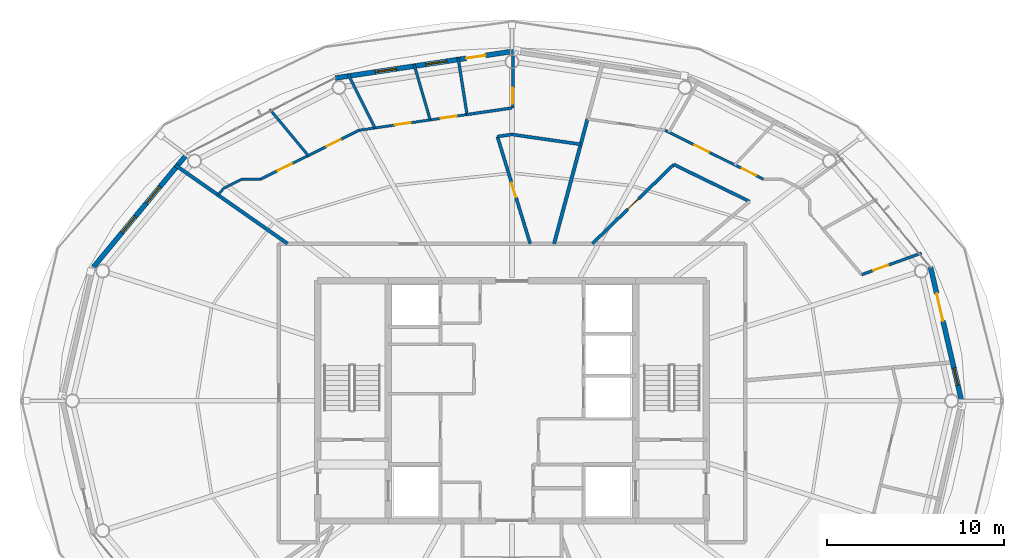
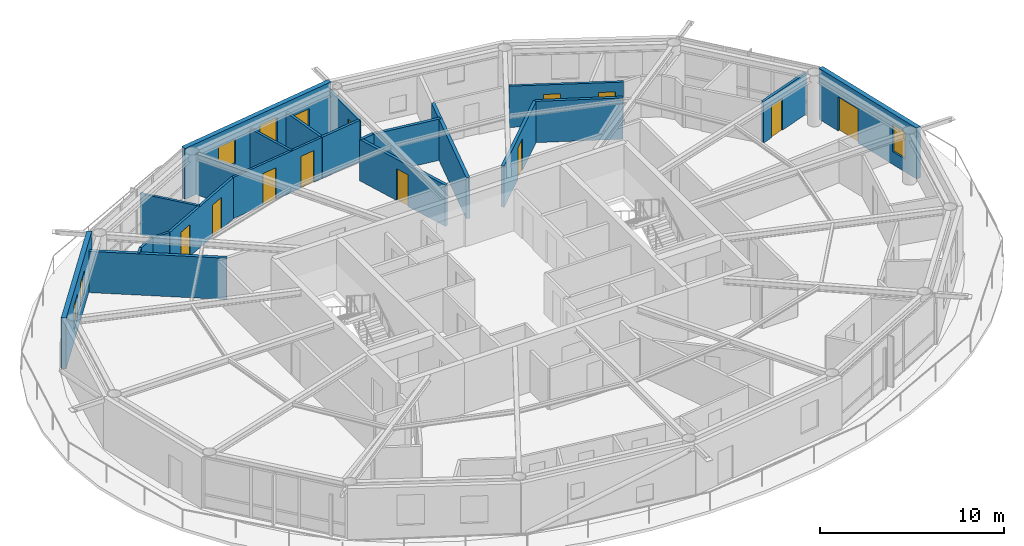
# One storey, part 19 of 23: 23 walls, 12 doors, 5 windows, 17 openings.
"""IFC4 building model written with IfcOpenShell, lengths in metres."""

from ifc_helpers import new_model, si_unit, direction, frame, frame_2d, origin, place, context, subcontext, project, spatial, rectangle, extrude, material, layer, layer_set, type_object, element, fill, save


model = new_model("IFC4")

# Units and contexts
model_context = context("Model", 3, precision=1e-05, world=origin(), true_north=direction((0.0, 1.0)))
body_context = subcontext(model_context, "Body", "Model", "MODEL_VIEW")
ifc_project = project(units=[si_unit("LENGTHUNIT", "METRE"), si_unit("AREAUNIT", "SQUARE_METRE"), si_unit("VOLUMEUNIT", "CUBIC_METRE"), si_unit("PLANEANGLEUNIT", "RADIAN"), si_unit("MASSUNIT", "GRAM", prefix="KILO")], contexts=[model_context])

# Site, building, storey
site_placement = place(None, origin())
site = spatial("IfcSite", under=ifc_project, at=site_placement, CompositionType="ELEMENT")
building_placement = place(site_placement, origin())
building = spatial("IfcBuilding", under=site, at=building_placement, Name="Sarneth Arch Tower", CompositionType="ELEMENT")
storey_placement = place(building_placement, frame((0.0, 0.0, 280.199951171875)))
storey = spatial("IfcBuildingStorey", under=building, at=storey_placement, Name="L72", CompositionType="ELEMENT", Elevation=280.199951171875)

# Wall, openings, door, window
ifc_material_1 = material(Name="Extruded terracotta rainscreen on Concrete C40/50 backing", Category="masonry")
ifc_layer_1 = layer(ifc_material_1, 0.280029296875)
ifc_layer_set_1 = layer_set([ifc_layer_1], Name="Extruded terracotta rainscreen on Concrete C40/50 backing")
wall_type_1 = type_object("IfcWallType", Name="WALL-EXT-TERRA-280", PredefinedType="SOLIDWALL", material=ifc_layer_set_1)
wall_1_placement = place(storey_placement, frame((73.447021484375, 42.0, 0.0), z_axis=(0.0, 0.0, 1.0), x_axis=(-0.225635078214, 0.974211892495, 0.0)))
wall_1 = element("IfcWall", 1, at=wall_1_placement, inside=storey, type_object=wall_type_1, Name="L72 Terracotta perimeter wall 01", PredefinedType="SOLIDWALL", context=body_context, shape_type="SweptSolid", body=[
    extrude(rectangle(XDim=7.77001953125, YDim=0.280029296875, at=frame_2d((3.885009765625, 0.0))), origin(), (0.0, 0.0, 1.0), 3.3701171875),
])
opening_1_placement = place(wall_1_placement, frame((4.64208984375, 0.0, 0.0)))
opening_1 = element("IfcOpeningElement", 2, at=opening_1_placement, cuts=wall_1, Name="Opening BD-1", PredefinedType="OPENING", context=body_context, shape_type="SweptSolid", body=[
    extrude(rectangle(XDim=1.60009765625, YDim=2.25, at=frame_2d((0.800048828125, 1.125))), frame((0.0, 0.14990234375, 0.0), z_axis=(0.0, -1.0, 0.0), x_axis=(1.0, 0.0, 0.0)), (0.0, 0.0, 1.0), 0.300048828125),
])
opening_2_placement = place(wall_1_placement, frame((0.9072265625, 0.0, 0.85009765625)))
opening_2 = element("IfcOpeningElement", 3, at=opening_2_placement, cuts=wall_1, Name="Opening W-11", PredefinedType="OPENING", context=body_context, shape_type="SweptSolid", body=[
    extrude(rectangle(XDim=1.0, YDim=1.800048828125, at=frame_2d((0.5, 0.89990234375))), frame((0.0, 0.14990234375, 0.0), z_axis=(0.0, -1.0, 0.0), x_axis=(1.0, 0.0, 0.0)), (0.0, 0.0, 1.0), 0.300048828125),
])
ifc_material_2 = material(Name="Thermally broken Aluminium 6063-T6 and laminated safety glass", Category="aluminium")
door_type_1 = type_object("IfcDoorType", Name="DR-BALC-GLZ-1600", OperationType="DOUBLE_DOOR_SINGLE_SWING", PredefinedType="DOOR", material=ifc_material_2)
door_1_placement = place(opening_1_placement, origin())
door_1 = element("IfcDoor", 4, at=door_1_placement, inside=storey, type_object=door_type_1, Name="L72 Balcony glazed door 01", OperationType="DOUBLE_DOOR_SINGLE_SWING", OverallHeight=2.25, OverallWidth=1.60009765625, PredefinedType="DOOR", context=body_context, shape_type="SweptSolid", body=[
    extrude(rectangle(XDim=1.60009765625, YDim=2.25, at=frame_2d((0.800048828125, 1.125))), frame((0.0, 0.02490234375, 0.0), z_axis=(0.0, -1.0, 0.0), x_axis=(1.0, 0.0, 0.0)), (0.0, 0.0, 1.0), 0.050048828125),
])
fill(opening_1, door_1)
ifc_material_3 = material(Name="Thermally broken Aluminium 6063-T6 and low-e laminated IGU", Category="aluminium")
window_type_1 = type_object("IfcWindowType", Name="WIN-TWR-1000x1800", PartitioningType="SINGLE_PANEL", PredefinedType="WINDOW", material=ifc_material_3)
window_1_placement = place(opening_2_placement, origin())
window_1 = element("IfcWindow", 5, at=window_1_placement, inside=storey, type_object=window_type_1, Name="L72 Dwelling bedroom window 05", OverallHeight=1.800048828125, OverallWidth=1.0, PartitioningType="SINGLE_PANEL", PredefinedType="WINDOW", context=body_context, shape_type="SweptSolid", body=[
    extrude(rectangle(XDim=1.0, YDim=1.800048828125, at=frame_2d((0.5, 0.89990234375))), frame((0.0, 0.030029296875, 0.0), z_axis=(0.0, -1.0, 0.0), x_axis=(1.0, 0.0, 0.0)), (0.0, 0.0, 1.0), 0.06005859375),
])
fill(opening_2, window_1)

# Wall, openings, door, windows
wall_2_placement = place(storey_placement, frame((48.0, 61.780029296875, 0.0), z_axis=(0.0, 0.0, 1.0), x_axis=(-0.988882522213, -0.148698881169, 0.0)))
wall_2 = element("IfcWall", 6, at=wall_2_placement, inside=storey, type_object=wall_type_1, Name="L72 Terracotta perimeter wall 05", PredefinedType="SOLIDWALL", context=body_context, shape_type="SweptSolid", body=[
    extrude(rectangle(XDim=10.125244140625, YDim=0.280029296875, at=frame_2d((5.0625, 0.0))), origin(), (0.0, 0.0, 1.0), 3.3701171875),
])
opening_3_placement = place(wall_2_placement, frame((1.51611328125, 0.0, 0.0)))
opening_3 = element("IfcOpeningElement", 7, at=opening_3_placement, cuts=wall_2, Name="Opening BD-3", PredefinedType="OPENING", context=body_context, shape_type="SweptSolid", body=[
    extrude(rectangle(XDim=1.10009765625, YDim=2.25, at=frame_2d((0.550048828125, 1.125))), frame((0.0, 0.14990234375, 0.0), z_axis=(0.0, -1.0, 0.0), x_axis=(1.0, 0.0, 0.0)), (0.0, 0.0, 1.0), 0.300048828125),
])
opening_4_placement = place(wall_2_placement, frame((3.732421875, 0.0, 0.85009765625)))
opening_4 = element("IfcOpeningElement", 8, at=opening_4_placement, cuts=wall_2, Name="Opening W-09", PredefinedType="OPENING", context=body_context, shape_type="SweptSolid", body=[
    extrude(rectangle(XDim=1.199951171875, YDim=1.800048828125, at=frame_2d((0.60009765625, 0.89990234375))), frame((0.0, 0.14990234375, 0.0), z_axis=(0.0, -1.0, 0.0), x_axis=(1.0, 0.0, 0.0)), (0.0, 0.0, 1.0), 0.300048828125),
])
opening_5_placement = place(wall_2_placement, frame((6.61572265625, 0.0, 0.85009765625)))
opening_5 = element("IfcOpeningElement", 9, at=opening_5_placement, cuts=wall_2, Name="Opening W-10", PredefinedType="OPENING", context=body_context, shape_type="SweptSolid", body=[
    extrude(rectangle(XDim=1.199951171875, YDim=1.60009765625, at=frame_2d((0.60009765625, 0.800048828125))), frame((0.0, 0.14990234375, 0.0), z_axis=(0.0, -1.0, 0.0), x_axis=(1.0, 0.0, 0.0)), (0.0, 0.0, 1.0), 0.300048828125),
])
ifc_material_4 = material(Name="Thermally broken Aluminium 6063-T6 and laminated safety glass", Category="aluminium")
door_type_2 = type_object("IfcDoorType", Name="DR-BALC-GLZ-1100", OperationType="SINGLE_SWING_LEFT", PredefinedType="DOOR", material=ifc_material_4)
door_2_placement = place(opening_3_placement, origin())
door_2 = element("IfcDoor", 10, at=door_2_placement, inside=storey, type_object=door_type_2, Name="L72 Balcony glazed door 05", OperationType="SINGLE_SWING_LEFT", OverallHeight=2.25, OverallWidth=1.10009765625, PredefinedType="DOOR", context=body_context, shape_type="SweptSolid", body=[
    extrude(rectangle(XDim=1.10009765625, YDim=2.25, at=frame_2d((0.550048828125, 1.125))), frame((0.0, 0.02490234375, 0.0), z_axis=(0.0, -1.0, 0.0), x_axis=(1.0, 0.0, 0.0)), (0.0, 0.0, 1.0), 0.050048828125),
])
fill(opening_3, door_2)
ifc_material_5 = material(Name="Thermally broken Aluminium 6063-T6 and low-e laminated IGU", Category="aluminium")
window_type_2 = type_object("IfcWindowType", Name="WIN-TWR-1200x1600", PartitioningType="SINGLE_PANEL", PredefinedType="WINDOW", material=ifc_material_5)
window_2_placement = place(opening_5_placement, origin())
window_2 = element("IfcWindow", 11, at=window_2_placement, inside=storey, type_object=window_type_2, Name="L72 Exterior window 05B", OverallHeight=1.60009765625, OverallWidth=1.199951171875, PartitioningType="SINGLE_PANEL", PredefinedType="WINDOW", context=body_context, shape_type="SweptSolid", body=[
    extrude(rectangle(XDim=1.199951171875, YDim=1.60009765625, at=frame_2d((0.60009765625, 0.800048828125))), frame((0.0, 0.030029296875, 0.0), z_axis=(0.0, -1.0, 0.0), x_axis=(1.0, 0.0, 0.0)), (0.0, 0.0, 1.0), 0.06005859375),
])
fill(opening_5, window_2)
ifc_material_6 = material(Name="Thermally broken Aluminium 6063-T6 and low-e laminated IGU", Category="aluminium")
window_type_3 = type_object("IfcWindowType", Name="WIN-TWR-1200x1800", PartitioningType="SINGLE_PANEL", PredefinedType="WINDOW", material=ifc_material_6)
window_3_placement = place(opening_4_placement, origin())
window_3 = element("IfcWindow", 12, at=window_3_placement, inside=storey, type_object=window_type_3, Name="L72 Exterior window 05A", OverallHeight=1.800048828125, OverallWidth=1.199951171875, PartitioningType="SINGLE_PANEL", PredefinedType="WINDOW", context=body_context, shape_type="SweptSolid", body=[
    extrude(rectangle(XDim=1.199951171875, YDim=1.800048828125, at=frame_2d((0.60009765625, 0.89990234375))), frame((0.0, 0.030029296875, 0.0), z_axis=(0.0, -1.0, 0.0), x_axis=(1.0, 0.0, 0.0)), (0.0, 0.0, 1.0), 0.06005859375),
])
fill(opening_4, window_3)

# Wall, openings, windows
wall_3_placement = place(storey_placement, frame((29.617431640625, 55.986572265625, 0.0), z_axis=(0.0, 0.0, 1.0), x_axis=(-0.63761509934, -0.770355103243, 0.0)))
wall_3 = element("IfcWall", 13, at=wall_3_placement, inside=storey, type_object=wall_type_1, Name="L72 Terracotta perimeter wall 07", PredefinedType="SOLIDWALL", context=body_context, shape_type="SweptSolid", body=[
    extrude(rectangle(XDim=8.329833984375, YDim=0.280029296875, at=frame_2d((4.1650390625, 0.0))), origin(), (0.0, 0.0, 1.0), 3.3701171875),
])
opening_6_placement = place(wall_3_placement, frame((2.42626953125, 0.0, 0.85009765625)))
opening_6 = element("IfcOpeningElement", 14, at=opening_6_placement, cuts=wall_3, Name="Opening W-10", PredefinedType="OPENING", context=body_context, shape_type="SweptSolid", body=[
    extrude(rectangle(XDim=1.199951171875, YDim=1.60009765625, at=frame_2d((0.60009765625, 0.800048828125))), frame((0.0, 0.14990234375, 0.0), z_axis=(0.0, -1.0, 0.0), x_axis=(1.0, 0.0, 0.0)), (0.0, 0.0, 1.0), 0.300048828125),
])
opening_7_placement = place(wall_3_placement, frame((4.59619140625, 0.0, 0.85009765625)))
opening_7 = element("IfcOpeningElement", 15, at=opening_7_placement, cuts=wall_3, Name="Opening W-10", PredefinedType="OPENING", context=body_context, shape_type="SweptSolid", body=[
    extrude(rectangle(XDim=1.199951171875, YDim=1.60009765625, at=frame_2d((0.60009765625, 0.800048828125))), frame((0.0, 0.14990234375, 0.0), z_axis=(0.0, -1.0, 0.0), x_axis=(1.0, 0.0, 0.0)), (0.0, 0.0, 1.0), 0.300048828125),
])
window_4_placement = place(opening_6_placement, origin())
window_4 = element("IfcWindow", 16, at=window_4_placement, inside=storey, type_object=window_type_2, Name="L72 Exterior window 07A", OverallHeight=1.60009765625, OverallWidth=1.199951171875, PartitioningType="SINGLE_PANEL", PredefinedType="WINDOW", context=body_context, shape_type="SweptSolid", body=[
    extrude(rectangle(XDim=1.199951171875, YDim=1.60009765625, at=frame_2d((0.60009765625, 0.800048828125))), frame((0.0, 0.030029296875, 0.0), z_axis=(0.0, -1.0, 0.0), x_axis=(1.0, 0.0, 0.0)), (0.0, 0.0, 1.0), 0.06005859375),
])
fill(opening_6, window_4)
window_5_placement = place(opening_7_placement, origin())
window_5 = element("IfcWindow", 17, at=window_5_placement, inside=storey, type_object=window_type_2, Name="L72 Exterior window 07B", OverallHeight=1.60009765625, OverallWidth=1.199951171875, PartitioningType="SINGLE_PANEL", PredefinedType="WINDOW", context=body_context, shape_type="SweptSolid", body=[
    extrude(rectangle(XDim=1.199951171875, YDim=1.60009765625, at=frame_2d((0.60009765625, 0.800048828125))), frame((0.0, 0.030029296875, 0.0), z_axis=(0.0, -1.0, 0.0), x_axis=(1.0, 0.0, 0.0)), (0.0, 0.0, 1.0), 0.06005859375),
])
fill(opening_7, window_5)

# Wall, openings, doors
ifc_material_7 = material(Name="Apartment internal stud partition", Category="gypsum")
ifc_layer_2 = layer(ifc_material_7, 0.139892578125)
ifc_layer_set_2 = layer_set([ifc_layer_2], Name="Apartment internal stud partition")
wall_type_2 = type_object("IfcWallType", Name="WALL-PART-140", PredefinedType="PARTITIONING", material=ifc_layer_set_2)
wall_4_placement = place(storey_placement, frame((45.486572265625, 58.21337890625, 0.0), z_axis=(0.0, 0.0, 1.0), x_axis=(-0.98953543847, -0.144290041276, 0.0)))
wall_4 = element("IfcWall", 18, at=wall_4_placement, inside=storey, type_object=wall_type_2, Name="L72 Interior partition W-L72-TP-048", PredefinedType="PARTITIONING", context=body_context, shape_type="SweptSolid", body=[
    extrude(rectangle(XDim=6.206298828125, YDim=0.139892578125, at=frame_2d((3.10302734375, 0.0))), origin(), (0.0, 0.0, 1.0), 2.72998046875),
])
opening_8_placement = place(wall_4_placement, frame((3.266845703125, 0.0, 0.0)))
opening_8 = element("IfcOpeningElement", 19, at=opening_8_placement, cuts=wall_4, Name="Opening ID-01", PredefinedType="OPENING", context=body_context, shape_type="SweptSolid", body=[
    extrude(rectangle(XDim=0.89990234375, YDim=2.10009765625, at=frame_2d((0.449951171875, 1.050048828125))), frame((0.0, 0.079833984375, 0.0), z_axis=(0.0, -1.0, 0.0), x_axis=(1.0, 0.0, 0.0)), (0.0, 0.0, 1.0), 0.159912109375),
])
opening_9_placement = place(wall_4_placement, frame((0.635986328125, 0.0, 0.0)))
opening_9 = element("IfcOpeningElement", 20, at=opening_9_placement, cuts=wall_4, Name="Opening ID-01", PredefinedType="OPENING", context=body_context, shape_type="SweptSolid", body=[
    extrude(rectangle(XDim=0.89990234375, YDim=2.10009765625, at=frame_2d((0.449951171875, 1.050048828125))), frame((0.0, 0.079833984375, 0.0), z_axis=(0.0, -1.0, 0.0), x_axis=(1.0, 0.0, 0.0)), (0.0, 0.0, 1.0), 0.159912109375),
])
ifc_material_8 = material(Name="Engineered hardwood flush door", Category="wood")
door_type_3 = type_object("IfcDoorType", Name="DR-INT-900", OperationType="SINGLE_SWING_LEFT", PredefinedType="DOOR", material=ifc_material_8)
door_3_placement = place(opening_8_placement, origin())
door_3 = element("IfcDoor", 21, at=door_3_placement, inside=storey, type_object=door_type_3, Name="L72 Interior door DR-L72-U2-BED1", OperationType="SINGLE_SWING_RIGHT", OverallHeight=2.10009765625, OverallWidth=0.89990234375, PredefinedType="DOOR", context=body_context, shape_type="SweptSolid", body=[
    extrude(rectangle(XDim=0.89990234375, YDim=2.10009765625, at=frame_2d((0.449951171875, 1.050048828125))), frame((0.0, 0.02490234375, 0.0), z_axis=(0.0, -1.0, 0.0), x_axis=(1.0, 0.0, 0.0)), (0.0, 0.0, 1.0), 0.050048828125),
])
fill(opening_8, door_3)
door_4_placement = place(opening_9_placement, origin())
door_4 = element("IfcDoor", 22, at=door_4_placement, inside=storey, type_object=door_type_3, Name="L72 Interior door DR-L72-U2-STD", OperationType="SINGLE_SWING_RIGHT", OverallHeight=2.10009765625, OverallWidth=0.89990234375, PredefinedType="DOOR", context=body_context, shape_type="SweptSolid", body=[
    extrude(rectangle(XDim=0.89990234375, YDim=2.10009765625, at=frame_2d((0.449951171875, 1.050048828125))), frame((0.0, 0.02490234375, 0.0), z_axis=(0.0, -1.0, 0.0), x_axis=(1.0, 0.0, 0.0)), (0.0, 0.0, 1.0), 0.050048828125),
])
fill(opening_9, door_4)

# Walls
wall_5_placement = place(storey_placement, frame((31.68896484375, 54.0419921875, 0.0), z_axis=(0.0, 0.0, 1.0), x_axis=(0.895409226325, 0.445244109912, 0.0)))
element("IfcWall", 23, at=wall_5_placement, inside=storey, type_object=wall_type_2, Name="L72 Interior partition W-L72-TP-052", PredefinedType="PARTITIONING", context=body_context, shape_type="SweptSolid", body=[
    extrude(rectangle(XDim=1.14111328125, YDim=0.139892578125, at=frame_2d((0.570556640625, 0.0))), origin(), (0.0, 0.0, 1.0), 2.72998046875),
])
wall_6_placement = place(storey_placement, frame((32.710693359375, 54.550048828125, 0.0), z_axis=(0.0, 0.0, 1.0), x_axis=(1.0, 0.0, 0.0)))
element("IfcWall", 24, at=wall_6_placement, inside=storey, type_object=wall_type_2, Name="L72 Interior partition W-L72-TP-053", PredefinedType="PARTITIONING", context=body_context, shape_type="SweptSolid", body=[
    extrude(rectangle(XDim=1.0625, YDim=0.139892578125, at=frame_2d((0.53125, 0.0))), origin(), (0.0, 0.0, 1.0), 2.72998046875),
])
wall_7_placement = place(storey_placement, frame((31.357421875, 53.6533203125, 0.0), z_axis=(0.0, 0.0, 1.0), x_axis=(0.648979151054, 0.76080619181, 0.0)))
element("IfcWall", 25, at=wall_7_placement, inside=storey, type_object=wall_type_2, Name="L72 Interior partition W-L72-TP-051", PredefinedType="PARTITIONING", context=body_context, shape_type="SweptSolid", body=[
    extrude(rectangle(XDim=0.510986328125, YDim=0.139892578125, at=frame_2d((0.25537109375, 0.0))), origin(), (0.0, 0.0, 1.0), 2.72998046875),
])

# Wall, openings, doors
ifc_material_9 = material(Name="Acoustic gypsum stud partition", Category="gypsum")
ifc_layer_3 = layer(ifc_material_9, 0.14990234375)
ifc_layer_set_3 = layer_set([ifc_layer_3], Name="Acoustic gypsum stud partition")
wall_type_3 = type_object("IfcWallType", Name="WALL-PART-150", PredefinedType="PARTITIONING", material=ifc_layer_set_3)
wall_8_placement = place(storey_placement, frame((56.65478515625, 57.318115234375, 0.0), z_axis=(0.0, 0.0, 1.0), x_axis=(0.895562239868, -0.444936258943, 0.0)))
wall_8 = element("IfcWall", 26, at=wall_8_placement, inside=storey, type_object=wall_type_3, Name="L72 Interior partition W-L72-TP-030", PredefinedType="PARTITIONING", context=body_context, shape_type="SweptSolid", body=[
    extrude(rectangle(XDim=6.221923828125, YDim=0.14990234375, at=frame_2d((3.11083984375, 0.0))), origin(), (0.0, 0.0, 1.0), 2.72998046875),
])
opening_10_placement = place(wall_8_placement, frame((1.8837890625, 0.0, 0.0)))
opening_10 = element("IfcOpeningElement", 27, at=opening_10_placement, cuts=wall_8, Name="Opening ID-01", PredefinedType="OPENING", context=body_context, shape_type="SweptSolid", body=[
    extrude(rectangle(XDim=0.89990234375, YDim=2.10009765625, at=frame_2d((0.449951171875, 1.050048828125))), frame((0.0, 0.0849609375, 0.0), z_axis=(0.0, -1.0, 0.0), x_axis=(1.0, 0.0, 0.0)), (0.0, 0.0, 1.0), 0.169921875),
])
opening_11_placement = place(wall_8_placement, frame((4.867919921875, 0.0, 0.0)))
opening_11 = element("IfcOpeningElement", 28, at=opening_11_placement, cuts=wall_8, Name="Opening ID-01", PredefinedType="OPENING", context=body_context, shape_type="SweptSolid", body=[
    extrude(rectangle(XDim=0.89990234375, YDim=2.10009765625, at=frame_2d((0.449951171875, 1.050048828125))), frame((0.0, 0.0849609375, 0.0), z_axis=(0.0, -1.0, 0.0), x_axis=(1.0, 0.0, 0.0)), (0.0, 0.0, 1.0), 0.169921875),
])
door_5_placement = place(opening_10_placement, origin())
door_5 = element("IfcDoor", 29, at=door_5_placement, inside=storey, type_object=door_type_3, Name="L72 Interior door DR-L72-U1-BED2", OperationType="SINGLE_SWING_RIGHT", OverallHeight=2.10009765625, OverallWidth=0.89990234375, PredefinedType="DOOR", context=body_context, shape_type="SweptSolid", body=[
    extrude(rectangle(XDim=0.89990234375, YDim=2.10009765625, at=frame_2d((0.449951171875, 1.050048828125))), frame((0.0, 0.02490234375, 0.0), z_axis=(0.0, -1.0, 0.0), x_axis=(1.0, 0.0, 0.0)), (0.0, 0.0, 1.0), 0.050048828125),
])
fill(opening_10, door_5)
door_6_placement = place(opening_11_placement, origin())
door_6 = element("IfcDoor", 30, at=door_6_placement, inside=storey, type_object=door_type_3, Name="L72 Interior door DR-L72-U1-BED1", OperationType="SINGLE_SWING_LEFT", OverallHeight=2.10009765625, OverallWidth=0.89990234375, PredefinedType="DOOR", context=body_context, shape_type="SweptSolid", body=[
    extrude(rectangle(XDim=0.89990234375, YDim=2.10009765625, at=frame_2d((0.449951171875, 1.050048828125))), frame((0.0, 0.02490234375, 0.0), z_axis=(0.0, -1.0, 0.0), x_axis=(1.0, 0.0, 0.0)), (0.0, 0.0, 1.0), 0.050048828125),
])
fill(opening_11, door_6)

# Walls
wall_9_placement = place(storey_placement, frame((40.248046875, 57.44970703125, 0.0), z_axis=(0.0, 0.0, 1.0), x_axis=(-0.448472423908, 0.893796668708, 0.0)))
element("IfcWall", 31, at=wall_9_placement, inside=storey, type_object=wall_type_3, Name="L72 Interior partition W-L72-TP-058", PredefinedType="PARTITIONING", context=body_context, shape_type="SweptSolid", body=[
    extrude(rectangle(XDim=3.412109375, YDim=0.14990234375, at=frame_2d((1.7060546875, 0.0))), origin(), (0.0, 0.0, 1.0), 2.72998046875),
])
wall_10_placement = place(storey_placement, frame((36.464599609375, 55.886962890625, 0.0), z_axis=(0.0, 0.0, 1.0), x_axis=(-0.638979285107, 0.769223942168, 0.0)))
element("IfcWall", 32, at=wall_10_placement, inside=storey, type_object=wall_type_3, Name="L72 Interior partition W-L72-TP-059", PredefinedType="PARTITIONING", context=body_context, shape_type="SweptSolid", body=[
    extrude(rectangle(XDim=3.40966796875, YDim=0.14990234375, at=frame_2d((1.704833984375, 0.0))), origin(), (0.0, 0.0, 1.0), 2.72998046875),
])
wall_11_placement = place(storey_placement, frame((42.44873046875, 61.0654296875, 0.0), z_axis=(0.0, 0.0, 1.0), x_axis=(0.279527209814, -0.960137770829, 0.0)))
element("IfcWall", 33, at=wall_11_placement, inside=storey, type_object=wall_type_3, Name="L72 Interior partition W-L72-TP-057", PredefinedType="PARTITIONING", context=body_context, shape_type="SweptSolid", body=[
    extrude(rectangle(XDim=3.291748046875, YDim=0.14990234375, at=frame_2d((1.64599609375, 0.0))), origin(), (0.0, 0.0, 1.0), 2.72998046875),
])

# Wall, openings, doors
wall_12_placement = place(storey_placement, frame((33.773193359375, 54.550048828125, 0.0), z_axis=(0.0, 0.0, 1.0), x_axis=(0.895593510097, 0.44487331306, 0.0)))
wall_12 = element("IfcWall", 34, at=wall_12_placement, inside=storey, type_object=wall_type_3, Name="L72 Interior partition W-L72-TP-049", PredefinedType="PARTITIONING", context=body_context, shape_type="SweptSolid", body=[
    extrude(rectangle(XDim=6.2216796875, YDim=0.14990234375, at=frame_2d((3.11083984375, 0.0))), origin(), (0.0, 0.0, 1.0), 2.72998046875),
])
opening_12_placement = place(wall_12_placement, frame((4.14697265625, 0.0, 0.0)))
opening_12 = element("IfcOpeningElement", 35, at=opening_12_placement, cuts=wall_12, Name="Opening ID-01", PredefinedType="OPENING", context=body_context, shape_type="SweptSolid", body=[
    extrude(rectangle(XDim=0.89990234375, YDim=2.10009765625, at=frame_2d((0.449951171875, 1.050048828125))), frame((0.0, 0.0849609375, 0.0), z_axis=(0.0, -1.0, 0.0), x_axis=(1.0, 0.0, 0.0)), (0.0, 0.0, 1.0), 0.169921875),
])
opening_13_placement = place(wall_12_placement, frame((1.069091796875, 0.0, 0.0)))
opening_13 = element("IfcOpeningElement", 36, at=opening_13_placement, cuts=wall_12, Name="Opening ID-01", PredefinedType="OPENING", context=body_context, shape_type="SweptSolid", body=[
    extrude(rectangle(XDim=0.89990234375, YDim=2.10009765625, at=frame_2d((0.449951171875, 1.050048828125))), frame((0.0, 0.0849609375, 0.0), z_axis=(0.0, -1.0, 0.0), x_axis=(1.0, 0.0, 0.0)), (0.0, 0.0, 1.0), 0.169921875),
])
door_7_placement = place(opening_12_placement, origin())
door_7 = element("IfcDoor", 37, at=door_7_placement, inside=storey, type_object=door_type_3, Name="L72 Interior door DR-L72-U2-BED2", OperationType="SINGLE_SWING_LEFT", OverallHeight=2.10009765625, OverallWidth=0.89990234375, PredefinedType="DOOR", context=body_context, shape_type="SweptSolid", body=[
    extrude(rectangle(XDim=0.89990234375, YDim=2.10009765625, at=frame_2d((0.449951171875, 1.050048828125))), frame((0.0, 0.02490234375, 0.0), z_axis=(0.0, -1.0, 0.0), x_axis=(1.0, 0.0, 0.0)), (0.0, 0.0, 1.0), 0.050048828125),
])
fill(opening_12, door_7)
door_8_placement = place(opening_13_placement, origin())
door_8 = element("IfcDoor", 38, at=door_8_placement, inside=storey, type_object=door_type_3, Name="L72 Interior door DR-L72-U2-BED3", OperationType="SINGLE_SWING_LEFT", OverallHeight=2.10009765625, OverallWidth=0.89990234375, PredefinedType="DOOR", context=body_context, shape_type="SweptSolid", body=[
    extrude(rectangle(XDim=0.89990234375, YDim=2.10009765625, at=frame_2d((0.449951171875, 1.050048828125))), frame((0.0, 0.02490234375, 0.0), z_axis=(0.0, -1.0, 0.0), x_axis=(1.0, 0.0, 0.0)), (0.0, 0.0, 1.0), 0.050048828125),
])
fill(opening_13, door_8)

# Wall, opening, door
ifc_material_10 = material(Name="Kitchen wet service chase wall", Category="gypsum")
ifc_layer_4 = layer(ifc_material_10, 0.159912109375)
ifc_layer_set_4 = layer_set([ifc_layer_4], Name="Kitchen wet service chase wall")
wall_type_4 = type_object("IfcWallType", Name="WALL-PLUMB-160", PredefinedType="PLUMBINGWALL", material=ifc_layer_set_4)
wall_13_placement = place(storey_placement, frame((71.181884765625, 50.364990234375, 0.0), z_axis=(0.0, 0.0, 1.0), x_axis=(-0.940646622833, -0.339387582203, 0.0)))
wall_13 = element("IfcWall", 39, at=wall_13_placement, inside=storey, type_object=wall_type_4, Name="L72 Interior partition W-L72-TP-022", PredefinedType="PLUMBINGWALL", context=body_context, shape_type="SweptSolid", body=[
    extrude(rectangle(XDim=3.5966796875, YDim=0.159912109375, at=frame_2d((1.79833984375, 0.0))), origin(), (0.0, 0.0, 1.0), 2.72998046875),
])
opening_14_placement = place(wall_13_placement, frame((2.00830078125, 0.0, 0.0)))
opening_14 = element("IfcOpeningElement", 40, at=opening_14_placement, cuts=wall_13, Name="Opening ID-01", PredefinedType="OPENING", context=body_context, shape_type="SweptSolid", body=[
    extrude(rectangle(XDim=0.89990234375, YDim=2.10009765625, at=frame_2d((0.449951171875, 1.050048828125))), frame((0.0, 0.08984375, 0.0), z_axis=(0.0, -1.0, 0.0), x_axis=(1.0, 0.0, 0.0)), (0.0, 0.0, 1.0), 0.179931640625),
])
door_9_placement = place(opening_14_placement, origin())
door_9 = element("IfcDoor", 41, at=door_9_placement, inside=storey, type_object=door_type_3, Name="L72 Interior door DR-L72-U1-KIT", OperationType="SINGLE_SWING_RIGHT", OverallHeight=2.10009765625, OverallWidth=0.89990234375, PredefinedType="DOOR", context=body_context, shape_type="SweptSolid", body=[
    extrude(rectangle(XDim=0.89990234375, YDim=2.10009765625, at=frame_2d((0.449951171875, 1.050048828125))), frame((0.0, 0.02490234375, 0.0), z_axis=(0.0, -1.0, 0.0), x_axis=(1.0, 0.0, 0.0)), (0.0, 0.0, 1.0), 0.050048828125),
])
fill(opening_14, door_9)

wall_14_placement = place(storey_placement, frame((48.0458984375, 58.5732421875, 0.0), z_axis=(0.0, 0.0, 1.0), x_axis=(0.002721979175, 0.999996295408, 0.0)))
wall_14 = element("IfcWall", 42, at=wall_14_placement, inside=storey, type_object=wall_type_4, Name="L72 Interior partition W-L72-TP-044", PredefinedType="PLUMBINGWALL", context=body_context, shape_type="SweptSolid", body=[
    extrude(rectangle(XDim=3.318603515625, YDim=0.159912109375, at=frame_2d((1.6591796875, 0.0))), origin(), (0.0, 0.0, 1.0), 2.72998046875),
])
opening_15_placement = place(wall_14_placement, frame((0.249267578125, 0.0, 0.0)))
opening_15 = element("IfcOpeningElement", 43, at=opening_15_placement, cuts=wall_14, Name="Opening ID-01", PredefinedType="OPENING", context=body_context, shape_type="SweptSolid", body=[
    extrude(rectangle(XDim=0.89990234375, YDim=2.10009765625, at=frame_2d((0.449951171875, 1.050048828125))), frame((0.0, 0.08984375, 0.0), z_axis=(0.0, -1.0, 0.0), x_axis=(1.0, 0.0, 0.0)), (0.0, 0.0, 1.0), 0.179931640625),
])
door_10_placement = place(opening_15_placement, origin())
door_10 = element("IfcDoor", 44, at=door_10_placement, inside=storey, type_object=door_type_3, Name="L72 Interior door DR-L72-U2-KIT", OperationType="SINGLE_SWING_LEFT", OverallHeight=2.10009765625, OverallWidth=0.89990234375, PredefinedType="DOOR", context=body_context, shape_type="SweptSolid", body=[
    extrude(rectangle(XDim=0.89990234375, YDim=2.10009765625, at=frame_2d((0.449951171875, 1.050048828125))), frame((0.0, 0.02490234375, 0.0), z_axis=(0.0, -1.0, 0.0), x_axis=(1.0, 0.0, 0.0)), (0.0, 0.0, 1.0), 0.050048828125),
])
fill(opening_15, door_10)

# Walls
wall_15_placement = place(storey_placement, frame((45.454833984375, 58.208984375, 0.0), z_axis=(0.0, 0.0, 1.0), x_axis=(-0.155161914185, 0.987889052671, 0.0)))
element("IfcWall", 45, at=wall_15_placement, inside=storey, type_object=wall_type_4, Name="L72 Interior partition W-L72-TP-056", PredefinedType="PLUMBINGWALL", context=body_context, shape_type="SweptSolid", body=[
    extrude(rectangle(XDim=3.272705078125, YDim=0.159912109375, at=frame_2d((1.63623046875, 0.0))), origin(), (0.0, 0.0, 1.0), 2.72998046875),
])
wall_16_placement = place(storey_placement, frame((45.423095703125, 58.204345703125, 0.0), z_axis=(0.0, 0.0, 1.0), x_axis=(0.989536606461, 0.144282031013, 0.0)))
element("IfcWall", 46, at=wall_16_placement, inside=storey, type_object=wall_type_4, Name="L72 Interior partition W-L72-TP-043", PredefinedType="PLUMBINGWALL", context=body_context, shape_type="SweptSolid", body=[
    extrude(rectangle(XDim=2.604248046875, YDim=0.159912109375, at=frame_2d((1.30224609375, 0.0))), origin(), (0.0, 0.0, 1.0), 2.72998046875),
])

# Wall, opening, door
ifc_material_11 = material(Name="Moisture-resistant plumbing chase wall", Category="gypsum")
ifc_layer_5 = layer(ifc_material_11, 0.179931640625)
ifc_layer_set_5 = layer_set([ifc_layer_5], Name="Moisture-resistant plumbing chase wall")
wall_type_5 = type_object("IfcWallType", Name="WALL-PLUMB-180", PredefinedType="PLUMBINGWALL", material=ifc_layer_set_5)
wall_17_placement = place(storey_placement, frame((57.158935546875, 55.37890625, 0.0), z_axis=(0.0, 0.0, 1.0), x_axis=(-0.717176311368, -0.696891769511, 0.0)))
wall_17 = element("IfcWall", 47, at=wall_17_placement, inside=storey, type_object=wall_type_5, Name="L72 Interior partition W-L72-TP-026", PredefinedType="PLUMBINGWALL", context=body_context, shape_type="SweptSolid", body=[
    extrude(rectangle(XDim=6.427001953125, YDim=0.179931640625, at=frame_2d((3.21337890625, 0.0))), origin(), (0.0, 0.0, 1.0), 2.72998046875),
])
opening_16_placement = place(wall_17_placement, frame((2.78857421875, 0.0, 0.0)))
opening_16 = element("IfcOpeningElement", 48, at=opening_16_placement, cuts=wall_17, Name="Opening ID-02", PredefinedType="OPENING", context=body_context, shape_type="SweptSolid", body=[
    extrude(rectangle(XDim=0.85009765625, YDim=2.10009765625, at=frame_2d((0.425048828125, 1.050048828125))), frame((0.0, 0.099853515625, 0.0), z_axis=(0.0, -1.0, 0.0), x_axis=(1.0, 0.0, 0.0)), (0.0, 0.0, 1.0), 0.199951171875),
])
ifc_material_12 = material(Name="Moisture-resistant bathroom timber door", Category="wood")
door_type_4 = type_object("IfcDoorType", Name="DR-INT-850", OperationType="SINGLE_SWING_RIGHT", PredefinedType="DOOR", material=ifc_material_12)
door_11_placement = place(opening_16_placement, origin())
door_11 = element("IfcDoor", 49, at=door_11_placement, inside=storey, type_object=door_type_4, Name="L72 Interior door DR-L72-U1-BATH", OperationType="SINGLE_SWING_RIGHT", OverallHeight=2.10009765625, OverallWidth=0.85009765625, PredefinedType="DOOR", context=body_context, shape_type="SweptSolid", body=[
    extrude(rectangle(XDim=0.85009765625, YDim=2.10009765625, at=frame_2d((0.425048828125, 1.050048828125))), frame((0.0, 0.02490234375, 0.0), z_axis=(0.0, -1.0, 0.0), x_axis=(1.0, 0.0, 0.0)), (0.0, 0.0, 1.0), 0.050048828125),
])
fill(opening_16, door_11)

wall_18_placement = place(storey_placement, frame((47.174072265625, 56.9619140625, 0.0), z_axis=(0.0, 0.0, 1.0), x_axis=(0.29267834262, -0.956210953588, 0.0)))
wall_18 = element("IfcWall", 50, at=wall_18_placement, inside=storey, type_object=wall_type_5, Name="L72 Interior partition W-L72-TP-047", PredefinedType="PLUMBINGWALL", context=body_context, shape_type="SweptSolid", body=[
    extrude(rectangle(XDim=6.339599609375, YDim=0.179931640625, at=frame_2d((3.169921875, 0.0))), origin(), (0.0, 0.0, 1.0), 2.72998046875),
])
opening_17_placement = place(wall_18_placement, frame((2.74462890625, 0.0, 0.0)))
opening_17 = element("IfcOpeningElement", 51, at=opening_17_placement, cuts=wall_18, Name="Opening ID-02", PredefinedType="OPENING", context=body_context, shape_type="SweptSolid", body=[
    extrude(rectangle(XDim=0.85009765625, YDim=2.10009765625, at=frame_2d((0.425048828125, 1.050048828125))), frame((0.0, 0.099853515625, 0.0), z_axis=(0.0, -1.0, 0.0), x_axis=(1.0, 0.0, 0.0)), (0.0, 0.0, 1.0), 0.199951171875),
])
door_12_placement = place(opening_17_placement, origin())
door_12 = element("IfcDoor", 52, at=door_12_placement, inside=storey, type_object=door_type_4, Name="L72 Interior door DR-L72-U2-BATH", OperationType="SINGLE_SWING_LEFT", OverallHeight=2.10009765625, OverallWidth=0.85009765625, PredefinedType="DOOR", context=body_context, shape_type="SweptSolid", body=[
    extrude(rectangle(XDim=0.85009765625, YDim=2.10009765625, at=frame_2d((0.425048828125, 1.050048828125))), frame((0.0, 0.02490234375, 0.0), z_axis=(0.0, -1.0, 0.0), x_axis=(1.0, 0.0, 0.0)), (0.0, 0.0, 1.0), 0.050048828125),
])
fill(opening_17, door_12)

# Walls
wall_19_placement = place(storey_placement, frame((61.451416015625, 53.287109375, 0.0), z_axis=(0.0, 0.0, 1.0), x_axis=(-0.89894134286, 0.438069015221, 0.0)))
element("IfcWall", 53, at=wall_19_placement, inside=storey, type_object=wall_type_5, Name="L72 Interior partition W-L72-TP-025", PredefinedType="PLUMBINGWALL", context=body_context, shape_type="SweptSolid", body=[
    extrude(rectangle(XDim=4.775146484375, YDim=0.179931640625, at=frame_2d((2.3876953125, 0.0))), origin(), (0.0, 0.0, 1.0), 2.72998046875),
])
wall_20_placement = place(storey_placement, frame((51.8916015625, 56.523193359375, 0.0), z_axis=(0.0, 0.0, 1.0), x_axis=(-0.989915930408, 0.141656100205, 0.0)))
element("IfcWall", 54, at=wall_20_placement, inside=storey, type_object=wall_type_5, Name="L72 Interior partition W-L72-TP-045", PredefinedType="PLUMBINGWALL", context=body_context, shape_type="SweptSolid", body=[
    extrude(rectangle(XDim=3.93115234375, YDim=0.179931640625, at=frame_2d((1.965576171875, 0.0))), origin(), (0.0, 0.0, 1.0), 2.72998046875),
])
wall_21_placement = place(storey_placement, frame((48.0, 57.080078125, 0.0), z_axis=(0.0, 0.0, 1.0), x_axis=(-0.989920210862, -0.141626184469, 0.0)))
element("IfcWall", 55, at=wall_21_placement, inside=storey, type_object=wall_type_5, Name="L72 Interior partition W-L72-TP-046", PredefinedType="PLUMBINGWALL", context=body_context, shape_type="SweptSolid", body=[
    extrude(rectangle(XDim=0.834228515625, YDim=0.179931640625, at=frame_2d((0.4169921875, 0.0))), origin(), (0.0, 0.0, 1.0), 2.72998046875),
])
ifc_material_13 = material(Name="Double steel-stud acoustic drywall", Category="steel")
ifc_layer_6 = layer(ifc_material_13, 0.199951171875)
ifc_layer_set_6 = layer_set([ifc_layer_6], Name="Double steel-stud acoustic drywall")
wall_type_6 = type_object("IfcWallType", Name="WALL-UNIT-200", PredefinedType="PARTITIONING", material=ifc_layer_set_6)
wall_22_placement = place(storey_placement, frame((52.275390625, 57.95654296875, 0.0), z_axis=(0.0, 0.0, 1.0), x_axis=(-0.258793993177, -0.965932538584, 0.0)))
element("IfcWall", 56, at=wall_22_placement, inside=storey, type_object=wall_type_6, Name="L72 Interior partition W-L72-TP-034", PredefinedType="PARTITIONING", context=body_context, shape_type="SweptSolid", body=[
    extrude(rectangle(XDim=7.305419921875, YDim=0.199951171875, at=frame_2d((3.65283203125, 0.0))), origin(), (0.0, 0.0, 1.0), 2.72998046875),
])
wall_23_placement = place(storey_placement, frame((35.28955078125, 50.89990234375, 0.0), z_axis=(0.0, 0.0, 1.0), x_axis=(-0.819162424527, 0.573561611549, 0.0)))
element("IfcWall", 57, at=wall_23_placement, inside=storey, type_object=wall_type_6, Name="L72 Interior partition W-L72-TP-055", PredefinedType="PARTITIONING", context=body_context, shape_type="SweptSolid", body=[
    extrude(rectangle(XDim=7.757568359375, YDim=0.199951171875, at=frame_2d((3.87890625, 0.0))), origin(), (0.0, 0.0, 1.0), 2.72998046875),
])

save(model, "model.ifc")
